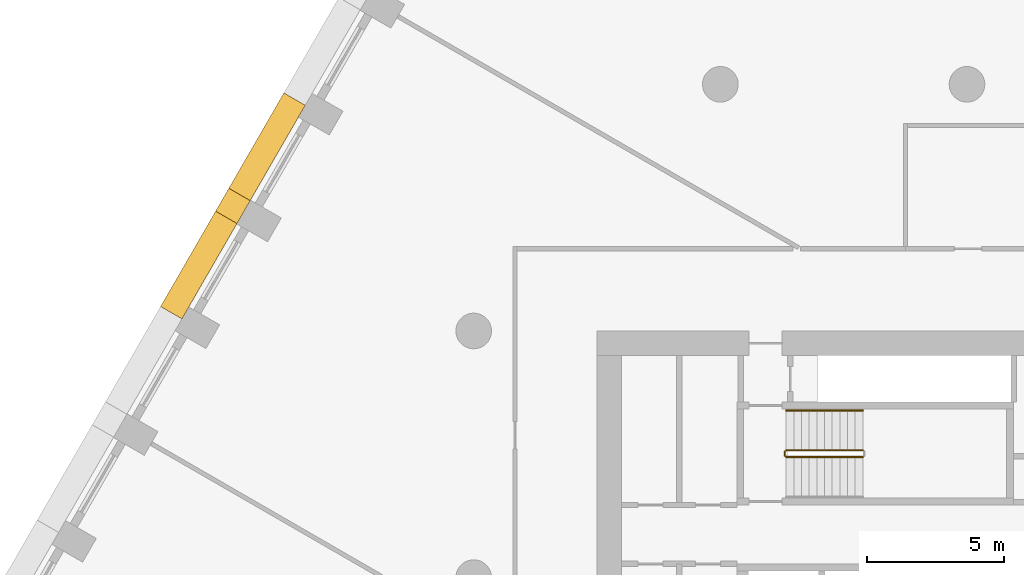
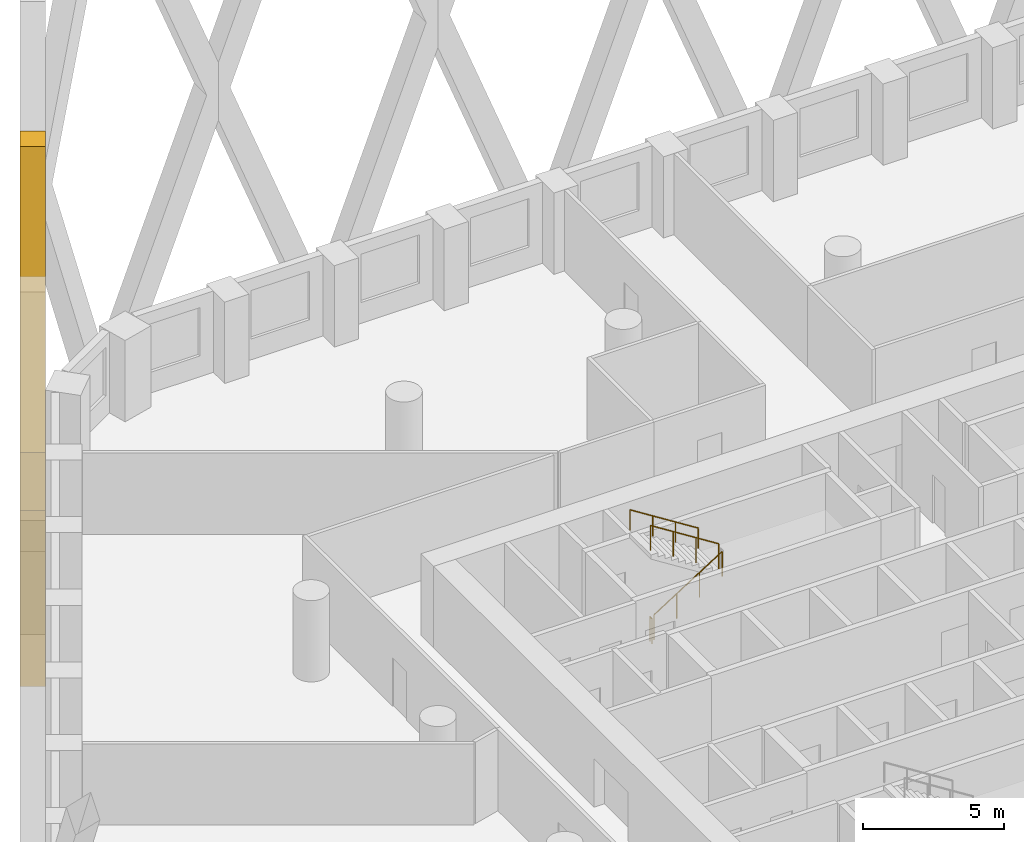
# One storey, part 15 of 18: 4 railings, 1 covering.
"""IFC4 building model written with IfcOpenShell, lengths in metres."""

from ifc_helpers import new_model, si_unit, direction, frame, origin, origin_2d, place, context, subcontext, project, spatial, polyline, circle, outline, extrude, material, type_object, element, save


model = new_model("IFC4")

# Units and contexts
model_context = context("Model", 3, precision=1e-05, world=origin(), true_north=direction((0.0, 1.0)))
body_context = subcontext(model_context, "Body", "Model", "MODEL_VIEW")
ifc_project = project(units=[si_unit("LENGTHUNIT", "METRE"), si_unit("AREAUNIT", "SQUARE_METRE"), si_unit("VOLUMEUNIT", "CUBIC_METRE"), si_unit("PLANEANGLEUNIT", "RADIAN"), si_unit("MASSUNIT", "GRAM", prefix="KILO")], contexts=[model_context])

# Site, building, storey
site_placement = place(None, origin())
site = spatial("IfcSite", under=ifc_project, at=site_placement, CompositionType="ELEMENT")
building_placement = place(site_placement, origin())
building = spatial("IfcBuilding", under=site, at=building_placement, Name="Dhurran Vertical Campus", CompositionType="ELEMENT")
storey_placement = place(building_placement, frame((0.0, 0.0, 81.300048828125)))
storey = spatial("IfcBuildingStorey", under=building, at=storey_placement, Name="L19", CompositionType="ELEMENT", Elevation=81.300048828125)

# Covering
ifc_material_1 = material(Name="Precast concrete C50/60", Category="concrete")
covering_type = type_object("IfcCoveringType", Name="Folded precast fin lattice diamond", PredefinedType="USERDEFINED", material=ifc_material_1)
covering_placement = place(storey_placement, frame((-28.647216796875, 21.735595703125, 0.0), z_axis=(-0.866013897511, 0.50001992892, 0.0), x_axis=(-0.50001992892, -0.866013897511, 0.0)))
element("IfcCovering", 1, at=covering_placement, inside=storey, type_object=covering_type, Name="FN1 L19.024", ObjectType="FIN", PredefinedType="USERDEFINED", context=body_context, shape_type="SweptSolid", body=[
    extrude(outline(polyline([(9.0, 12.95361328125), (9.0, 10.4462890625), (4.982177734375, 0.0), (4.017822265625, 0.0), (0.0, 10.4462890625), (0.0, 12.95361328125), (4.017822265625, 23.39990234375), (4.982177734375, 23.39990234375), (9.0, 12.95361328125)]), holes=[polyline([(8.517822265625, 11.699951171875), (4.5, 22.146484375), (0.482177734375, 11.699951171875), (4.5, 1.253662109375), (8.517822265625, 11.699951171875)])]), origin(), (0.0, 0.0, 1.0), 0.89990234375),
])

# Railings
ifc_material_2 = material(Name="Stainless steel balustrade", Category="steel")
railing_type_1 = type_object("IfcRailingType", Name="co-RL-GUARD-1100", PredefinedType="GUARDRAIL", material=ifc_material_2)
railing_1_placement = place(storey_placement, frame((-11.10009765625, 8.89990234375, 0.17724609375)))
element("IfcRailing", 2, at=railing_1_placement, inside=storey, type_object=railing_type_1, Name="L19 ST1 stair guard 1", PredefinedType="GUARDRAIL", context=body_context, shape_type="SweptSolid", body=[
    extrude(circle(Radius=0.02392578125, at=origin_2d()), frame((0.0, 0.0, 1.076171875), z_axis=(0.844908973607, 0.0, 0.534910110503), x_axis=(0.0, 1.0, 0.0)), (0.0, 0.0, 1.0), 3.31396484375),
    extrude(circle(Radius=0.02099609375, at=origin_2d()), origin(), (0.0, 0.0, 1.0), 1.052001953125),
    extrude(circle(Radius=0.02099609375, at=origin_2d()), frame((0.933349609375, 0.0, 0.5908203125)), (0.0, 0.0, 1.0), 1.052001953125),
    extrude(circle(Radius=0.02099609375, at=origin_2d()), frame((1.86669921875, 0.0, 1.181884765625)), (0.0, 0.0, 1.0), 1.052001953125),
    extrude(circle(Radius=0.02099609375, at=origin_2d()), frame((2.800048828125, 0.0, 1.772705078125)), (0.0, 0.0, 1.0), 1.052001953125),
])
railing_2_placement = place(storey_placement, frame((-8.300048828125, 9.14990234375, 2.127197265625)))
element("IfcRailing", 3, at=railing_2_placement, inside=storey, type_object=railing_type_1, Name="L19 ST1 stair guard 3", PredefinedType="GUARDRAIL", context=body_context, shape_type="SweptSolid", body=[
    extrude(circle(Radius=0.02392578125, at=origin_2d()), frame((0.0, 0.0, 1.076171875), z_axis=(-0.844908973607, 0.0, 0.534910110503), x_axis=(0.0, -1.0, 0.0)), (0.0, 0.0, 1.0), 3.31396484375),
    extrude(circle(Radius=0.02099609375, at=origin_2d()), origin(), (0.0, 0.0, 1.0), 1.052001953125),
    extrude(circle(Radius=0.02099609375, at=origin_2d()), frame((-0.933349609375, 0.0, 0.5908203125)), (0.0, 0.0, 1.0), 1.052001953125),
    extrude(circle(Radius=0.02099609375, at=origin_2d()), frame((-1.86669921875, 0.0, 1.181884765625)), (0.0, 0.0, 1.0), 1.052001953125),
    extrude(circle(Radius=0.02099609375, at=origin_2d()), frame((-2.800048828125, 0.0, 1.772705078125)), (0.0, 0.0, 1.0), 1.052001953125),
])
railing_3_placement = place(storey_placement, frame((-11.14990234375, 8.949951171875, 0.0)))
element("IfcRailing", 4, at=railing_3_placement, inside=storey, type_object=railing_type_1, Name="L19 ST1 stair guard 4", PredefinedType="GUARDRAIL", context=body_context, shape_type="SweptSolid", body=[
    extrude(circle(Radius=0.02392578125, at=origin_2d()), frame((0.0, 0.0, 1.076171875), z_axis=(0.0, 1.0, 0.0), x_axis=(-1.0, 0.0, 0.0)), (0.0, 0.0, 1.0), 0.150146484375),
    extrude(circle(Radius=0.02099609375, at=origin_2d()), origin(), (0.0, 0.0, 1.0), 1.052001953125),
    extrude(circle(Radius=0.02099609375, at=origin_2d()), frame((0.0, 0.150146484375, 0.0)), (0.0, 0.0, 1.0), 1.052001953125),
])
ifc_material_3 = material(Name="Stainless steel handrail", Category="steel")
railing_type_2 = type_object("IfcRailingType", Name="co-RL-HANDRAIL-900", PredefinedType="HANDRAIL", material=ifc_material_3)
railing_4_placement = place(storey_placement, frame((-8.300048828125, 10.60009765625, 2.127197265625)))
element("IfcRailing", 5, at=railing_4_placement, inside=storey, type_object=railing_type_2, Name="L19 ST1 stair handrail 2", PredefinedType="HANDRAIL", context=body_context, shape_type="SweptSolid", body=[
    extrude(circle(Radius=0.02392578125, at=origin_2d()), frame((0.0, 0.0, 0.8759765625), z_axis=(-0.844908973607, 0.0, 0.534910110503), x_axis=(0.0, -1.0, 0.0)), (0.0, 0.0, 1.0), 3.31396484375),
    extrude(circle(Radius=0.02099609375, at=origin_2d()), origin(), (0.0, 0.0, 1.0), 0.851806640625),
    extrude(circle(Radius=0.02099609375, at=origin_2d()), frame((-0.933349609375, 0.0, 0.5908203125)), (0.0, 0.0, 1.0), 0.851806640625),
    extrude(circle(Radius=0.02099609375, at=origin_2d()), frame((-1.86669921875, 0.0, 1.181884765625)), (0.0, 0.0, 1.0), 0.851806640625),
    extrude(circle(Radius=0.02099609375, at=origin_2d()), frame((-2.800048828125, 0.0, 1.772705078125)), (0.0, 0.0, 1.0), 0.851806640625),
])

save(model, "model.ifc")
